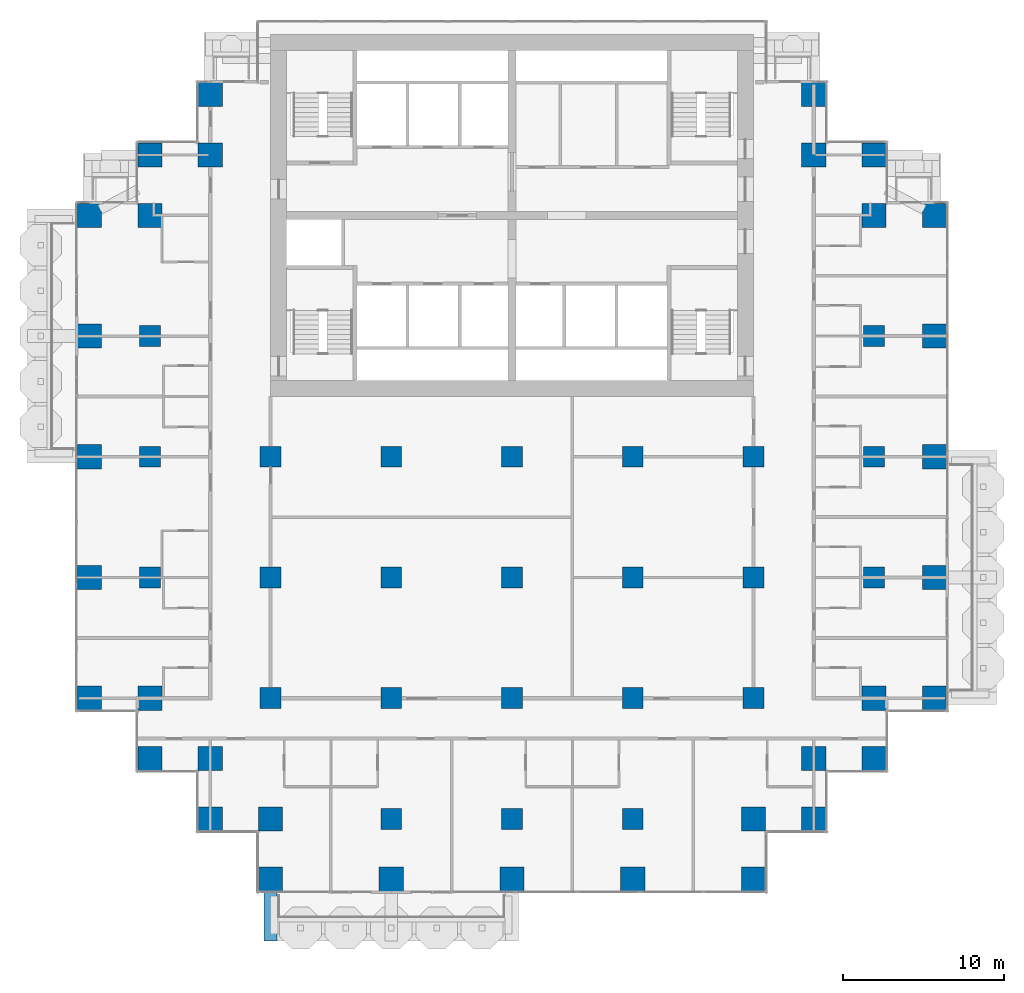
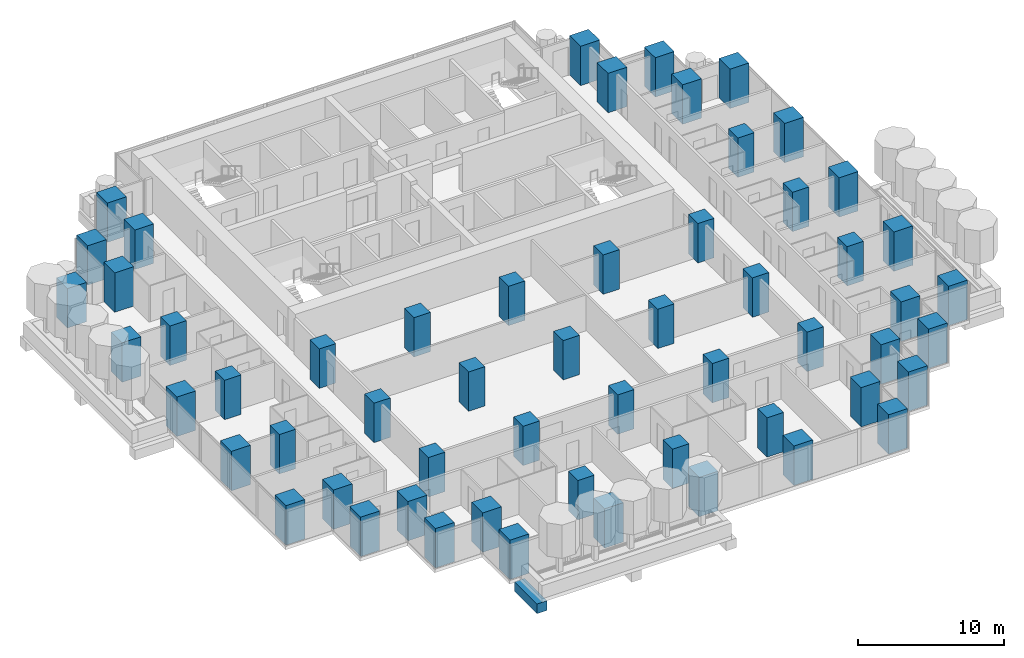
# One storey, part 1 of 18: 57 columns, 1 beam.
"""IFC4 building model written with IfcOpenShell, lengths in metres."""

from ifc_helpers import new_model, si_unit, direction, frame, origin, origin_2d, place, context, subcontext, project, spatial, rectangle, extrude, material, material_profile, profile_set, type_object, element, save


model = new_model("IFC4")

# Units and contexts
model_context = context("Model", 3, precision=1e-05, world=origin(), true_north=direction((0.0, 1.0)))
body_context = subcontext(model_context, "Body", "Model", "MODEL_VIEW")
ifc_project = project(units=[si_unit("LENGTHUNIT", "METRE"), si_unit("AREAUNIT", "SQUARE_METRE"), si_unit("VOLUMEUNIT", "CUBIC_METRE"), si_unit("PLANEANGLEUNIT", "RADIAN"), si_unit("MASSUNIT", "GRAM", prefix="KILO")], contexts=[model_context])

# Site, building, storey
site_placement = place(None, origin())
site = spatial("IfcSite", under=ifc_project, at=site_placement, CompositionType="ELEMENT")
building_placement = place(site_placement, origin())
building = spatial("IfcBuilding", under=site, at=building_placement, Name="Pilkhan Gate Tower", CompositionType="ELEMENT")
storey_placement = place(building_placement, frame((0.0, 0.0, 82.39990234375)))
storey = spatial("IfcBuildingStorey", under=building, at=storey_placement, Name="L19", CompositionType="ELEMENT", Elevation=82.39990234375)

# Columns
ifc_material_1 = material(Name="Concrete C70/85", Category="concrete")
ifc_material_profile_1 = material_profile(ifc_material_1, rectangle(XDim=1.300048828125, YDim=1.300048828125, at=origin_2d()), Name="RC 1300x1300")
ifc_profile_set_1 = profile_set([ifc_material_profile_1], Name="Concrete C70/85")
column_type_1 = type_object("IfcColumnType", Name="Column C130 RC 1300x1300 C70/85", PredefinedType="COLUMN", material=ifc_profile_set_1)
for number, where, z_axis, x_axis, name in (
    (1, (52.5, 60.0, 0.0), (0.0, 0.0, 1.0), (1.0, 0.0, 0.0), "Column 5/F L19"),
    (2, (52.5, 67.5, 0.0), (0.0, 0.0, 1.0), (1.0, 0.0, 0.0), "Column 5/H L19"),
    (3, (52.5, 75.0, 0.0), (0.0, 0.0, 1.0), (1.0, 0.0, 0.0), "Column 5/K L19"),
    (4, (60.0, 52.5, 0.0), (0.0, 0.0, 1.0), (1.0, 0.0, 0.0), "Column 7/D L19"),
    (5, (60.0, 60.0, 0.0), (0.0, 0.0, 1.0), (1.0, 0.0, 0.0), "Column 7/F L19"),
    (6, (60.0, 67.5, 0.0), (0.0, 0.0, 1.0), (1.0, 0.0, 0.0), "Column 7/H L19"),
    (7, (67.5, 45.0, 0.0), (0.0, 0.0, 1.0), (1.0, 0.0, 0.0), "Column 9/B L19"),
    (8, (67.5, 52.5, 0.0), (0.0, 0.0, 1.0), (1.0, 0.0, 0.0), "Column 9/D L19"),
    (9, (67.5, 60.0, 0.0), (0.0, 0.0, 1.0), (1.0, 0.0, 0.0), "Column 9/F L19"),
    (10, (67.5, 67.5, 0.0), (0.0, 0.0, 1.0), (1.0, 0.0, 0.0), "Column 9/H L19"),
    (11, (75.0, 45.0, 0.0), (0.0, 0.0, 1.0), (1.0, 0.0, 0.0), "Column 11/B L19"),
    (12, (75.0, 52.5, 0.0), (0.0, 0.0, 1.0), (1.0, 0.0, 0.0), "Column 11/D L19"),
    (13, (75.0, 60.0, 0.0), (0.0, 0.0, 1.0), (1.0, 0.0, 0.0), "Column 11/F L19"),
    (14, (75.0, 67.5, 0.0), (0.0, 0.0, 1.0), (1.0, 0.0, 0.0), "Column 11/H L19"),
    (15, (82.5, 45.0, 0.0), (0.0, 0.0, 1.0), (1.0, 0.0, 0.0), "Column 13/B L19"),
    (16, (82.5, 52.5, 0.0), (0.0, 0.0, 1.0), (1.0, 0.0, 0.0), "Column 13/D L19"),
    (17, (82.5, 60.0, 0.0), (0.0, 0.0, 1.0), (1.0, 0.0, 0.0), "Column 13/F L19"),
    (18, (82.5, 67.5, 0.0), (0.0, 0.0, 1.0), (1.0, 0.0, 0.0), "Column 13/H L19"),
    (19, (90.0, 52.5, 0.0), (0.0, 0.0, 1.0), (1.0, 0.0, 0.0), "Column 15/D L19"),
    (20, (90.0, 60.0, 0.0), (0.0, 0.0, 1.0), (1.0, 0.0, 0.0), "Column 15/F L19"),
    (21, (90.0, 67.5, 0.0), (0.0, 0.0, 1.0), (1.0, 0.0, 0.0), "Column 15/H L19"),
    (22, (97.5, 60.0, 0.0), (0.0, 0.0, 1.0), (1.0, 0.0, 0.0), "Column 17/F L19"),
    (23, (97.5, 67.5, 0.0), (0.0, 0.0, 1.0), (1.0, 0.0, 0.0), "Column 17/H L19"),
    (24, (97.5, 75.0, 0.0), (0.0, 0.0, 1.0), (1.0, 0.0, 0.0), "Column 17/K L19"),
):
    element("IfcColumn", number, at=place(storey_placement, frame(where, z_axis=z_axis, x_axis=x_axis)), inside=storey, type_object=column_type_1, Name=name, PredefinedType="COLUMN", context=body_context, shape_type="SweptSolid", body=[
        extrude(rectangle(XDim=1.300048828125, YDim=1.300048828125, at=origin_2d()), origin(), (0.0, 0.0, 1.0), 3.300048828125),
    ])
ifc_material_profile_2 = material_profile(ifc_material_1, rectangle(XDim=1.5, YDim=1.5, at=origin_2d()), Name="RC 1500x1500")
ifc_profile_set_2 = profile_set([ifc_material_profile_2], Name="Concrete C70/85")
column_type_2 = type_object("IfcColumnType", Name="Column C150 RC 1500x1500 C70/85", PredefinedType="COLUMN", material=ifc_profile_set_2)
for number, where, z_axis, x_axis, name in (
    (25, (48.75, 52.5, 0.0), (0.0, 0.0, 1.0), (1.0, 0.0, 0.0), "Column 4/D L19"),
    (26, (48.75, 60.0, 0.0), (0.0, 0.0, 1.0), (1.0, 0.0, 0.0), "Column 4/F L19"),
    (27, (48.75, 67.5, 0.0), (0.0, 0.0, 1.0), (1.0, 0.0, 0.0), "Column 4/H L19"),
    (28, (48.75, 75.0, 0.0), (0.0, 0.0, 1.0), (1.0, 0.0, 0.0), "Column 4/K L19"),
    (29, (48.75, 82.5, 0.0), (0.0, 0.0, 1.0), (1.0, 0.0, 0.0), "Column 4/M L19"),
    (30, (52.5, 48.75, 0.0), (0.0, 0.0, 1.0), (1.0, 0.0, 0.0), "Column 5/C L19"),
    (31, (52.5, 52.5, 0.0), (0.0, 0.0, 1.0), (1.0, 0.0, 0.0), "Column 5/D L19"),
    (32, (52.5, 82.5, 0.0), (0.0, 0.0, 1.0), (1.0, 0.0, 0.0), "Column 5/M L19"),
    (33, (52.5, 86.25, 0.0), (0.0, 0.0, 1.0), (1.0, 0.0, 0.0), "Column 5/N L19"),
    (34, (56.25, 45.0, 0.0), (0.0, 0.0, 1.0), (1.0, 0.0, 0.0), "Column 6/B L19"),
    (35, (56.25, 48.75, 0.0), (0.0, 0.0, 1.0), (1.0, 0.0, 0.0), "Column 6/C L19"),
    (36, (56.25, 86.25, 0.0), (0.0, 0.0, 1.0), (1.0, 0.0, 0.0), "Column 6/N L19"),
    (37, (56.25, 90.0, 0.0), (0.0, 0.0, 1.0), (1.0, 0.0, 0.0), "Column 6/P L19"),
    (38, (60.0, 41.25, 0.0), (0.0, 0.0, 1.0), (1.0, 0.0, 0.0), "Column 7/A L19"),
    (39, (60.0, 45.0, 0.0), (0.0, 0.0, 1.0), (1.0, 0.0, 0.0), "Column 7/B L19"),
    (40, (67.5, 41.25, 0.0), (0.0, 0.0, 1.0), (1.0, 0.0, 0.0), "Column 9/A L19"),
    (41, (75.0, 41.25, 0.0), (0.0, 0.0, 1.0), (1.0, 0.0, 0.0), "Column 11/A L19"),
    (42, (82.5, 41.25, 0.0), (0.0, 0.0, 1.0), (1.0, 0.0, 0.0), "Column 13/A L19"),
    (43, (90.0, 41.25, 0.0), (0.0, 0.0, 1.0), (1.0, 0.0, 0.0), "Column 15/A L19"),
    (44, (90.0, 45.0, 0.0), (0.0, 0.0, 1.0), (1.0, 0.0, 0.0), "Column 15/B L19"),
    (45, (93.75, 45.0, 0.0), (0.0, 0.0, 1.0), (1.0, 0.0, 0.0), "Column 16/B L19"),
    (46, (93.75, 48.75, 0.0), (0.0, 0.0, 1.0), (1.0, 0.0, 0.0), "Column 16/C L19"),
    (47, (93.75, 86.25, 0.0), (0.0, 0.0, 1.0), (1.0, 0.0, 0.0), "Column 16/N L19"),
    (48, (93.75, 90.0, 0.0), (0.0, 0.0, 1.0), (1.0, 0.0, 0.0), "Column 16/P L19"),
    (49, (97.5, 48.75, 0.0), (0.0, 0.0, 1.0), (1.0, 0.0, 0.0), "Column 17/C L19"),
    (50, (97.5, 52.5, 0.0), (0.0, 0.0, 1.0), (1.0, 0.0, 0.0), "Column 17/D L19"),
    (51, (97.5, 82.5, 0.0), (0.0, 0.0, 1.0), (1.0, 0.0, 0.0), "Column 17/M L19"),
    (52, (97.5, 86.25, 0.0), (0.0, 0.0, 1.0), (1.0, 0.0, 0.0), "Column 17/N L19"),
    (53, (101.25, 52.5, 0.0), (0.0, 0.0, 1.0), (1.0, 0.0, 0.0), "Column 18/D L19"),
    (54, (101.25, 60.0, 0.0), (0.0, 0.0, 1.0), (1.0, 0.0, 0.0), "Column 18/F L19"),
    (55, (101.25, 67.5, 0.0), (0.0, 0.0, 1.0), (1.0, 0.0, 0.0), "Column 18/H L19"),
    (56, (101.25, 75.0, 0.0), (0.0, 0.0, 1.0), (1.0, 0.0, 0.0), "Column 18/K L19"),
    (57, (101.25, 82.5, 0.0), (0.0, 0.0, 1.0), (1.0, 0.0, 0.0), "Column 18/M L19"),
):
    element("IfcColumn", number, at=place(storey_placement, frame(where, z_axis=z_axis, x_axis=x_axis)), inside=storey, type_object=column_type_2, Name=name, PredefinedType="COLUMN", context=body_context, shape_type="SweptSolid", body=[
        extrude(rectangle(XDim=1.5, YDim=1.5, at=origin_2d()), origin(), (0.0, 0.0, 1.0), 3.300048828125),
    ])

# Beam
ifc_material_2 = material(Name="Concrete C50/60", Category="concrete")
ifc_material_profile_3 = material_profile(ifc_material_2, rectangle(XDim=0.800048828125, YDim=0.800048828125, at=origin_2d()), Name="RC 800x800")
ifc_profile_set_3 = profile_set([ifc_material_profile_3], Name="Concrete C50/60")
beam_type = type_object("IfcBeamType", Name="Cantilever beam CB2 RC 800x800 C50/60", PredefinedType="BEAM", material=ifc_profile_set_3)
beam_placement = place(storey_placement, frame((60.0, 40.5, -0.699951171875), z_axis=(0.0, -1.0, 0.0), x_axis=(1.0, 0.0, 0.0)))
element("IfcBeam", 58, at=beam_placement, inside=storey, type_object=beam_type, Name="Balcony beam S.1 L19", PredefinedType="BEAM", context=body_context, shape_type="SweptSolid", body=[
    extrude(rectangle(XDim=0.800048828125, YDim=0.800048828125, at=origin_2d()), origin(), (0.0, 0.0, 1.0), 3.10009765625),
])

save(model, "model.ifc")
